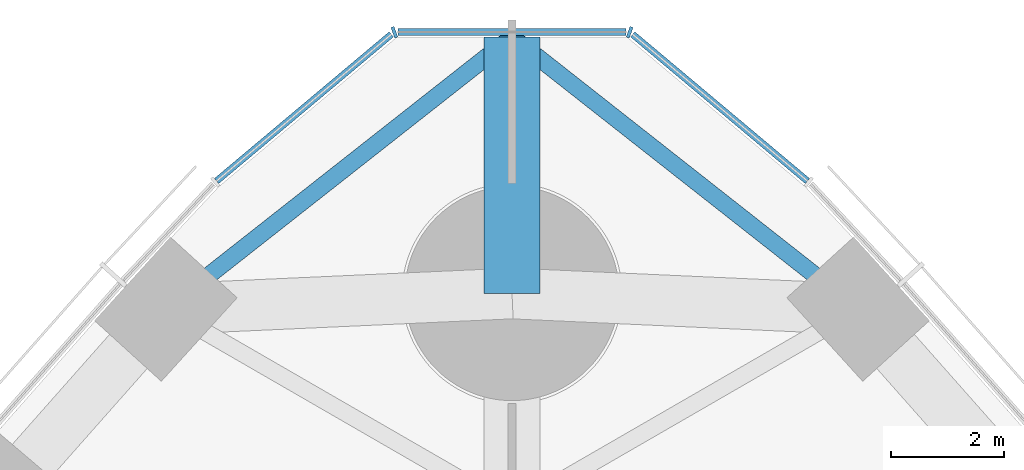
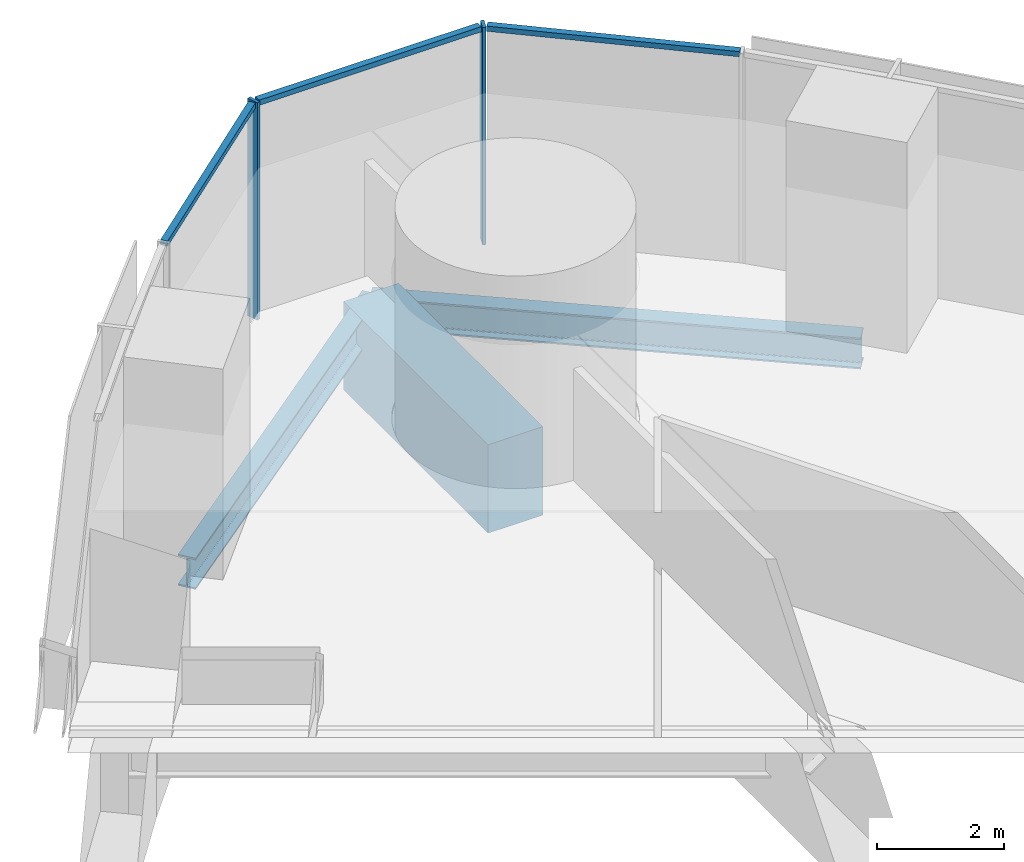
# One storey, part 8 of 18: 5 members, 3 beams, 1 element without a shape of its own.
"""IFC4 building model written with IfcOpenShell, lengths in metres."""

import ifcopenshell
import ifcopenshell.guid

model = None  # the IFC model being written
_history = None  # IfcOwnerHistory: only IFC2X3 demands one
_inside = {}  # id of a spatial element -> (the spatial element, [elements in it])
_under = {}  # id of a project, library or spatial element -> (it, [spatial elements below it])
_declared = {}  # id of a project -> (the project, [libraries it declares])
_typed = {}  # id of a type object -> (the type object, [elements of that type])
_made_of = {}  # id of a material, layer set ... -> (it, [elements and type objects made of it])


def new_model(schema):
    """Start an empty IFC model of exactly this schema.

    Asked for "IFC4X3", IfcOpenShell would pick the latest addendum, in which some entities
    have other attributes; the version numbers below select the first issue.
    IFC2X3 requires an IfcOwnerHistory on every rooted entity: one is made here for all.
    """
    global model, _history
    if schema == "IFC4X3":
        model = ifcopenshell.file(schema_version=(4, 3, 0, 0))
    else:
        model = ifcopenshell.file(schema=schema)
    _inside.clear()
    _under.clear()
    _declared.clear()
    _typed.clear()
    _made_of.clear()
    _history = None
    if model.schema == "IFC2X3":
        org = make("IfcOrganization", Name="unknown")
        user = make(
            "IfcPersonAndOrganization",
            ThePerson=make("IfcPerson", FamilyName="unknown"),
            TheOrganization=org,
        )
        app = make(
            "IfcApplication",
            ApplicationDeveloper=org,
            Version="unknown",
            ApplicationFullName="unknown",
            ApplicationIdentifier="unknown",
        )
        _history = make(
            "IfcOwnerHistory",
            OwningUser=user,
            OwningApplication=app,
            ChangeAction="ADDED",
            CreationDate=0,
        )
    return model


def make(cls, **values):
    """One entity of the class cls with the attributes given. An attribute that is None is left unset."""
    return model.create_entity(
        cls, **{name: value for name, value in values.items() if value is not None}
    )


def rooted(cls, **values):
    """An entity with a GlobalId (a new one), such as an element, a storey or a relation."""
    return make(cls, GlobalId=ifcopenshell.guid.new(), OwnerHistory=_history, **values)


def si_unit(unit_type, name, prefix=None):
    """IfcSIUnit, for example si_unit("LENGTHUNIT", "METRE", prefix="MILLI")."""
    return make("IfcSIUnit", UnitType=unit_type, Prefix=prefix, Name=name)


def assignment(units):
    """IfcUnitAssignment: the units of a project."""
    return None if units is None else make("IfcUnitAssignment", Units=units)


def point(xyz):
    """IfcCartesianPoint."""
    return None if xyz is None else make("IfcCartesianPoint", Coordinates=xyz)


def direction(xyz):
    """IfcDirection."""
    return None if xyz is None else make("IfcDirection", DirectionRatios=xyz)


def frame(location, z_axis=None, x_axis=None):
    """IfcAxis2Placement3D, a coordinate frame: its origin and axes. An axis left out is left unset."""
    return make(
        "IfcAxis2Placement3D",
        Location=point(location),
        Axis=direction(z_axis),
        RefDirection=direction(x_axis),
    )


def frame_2d(location, x_axis=None):
    """IfcAxis2Placement2D, a coordinate frame in the plane: its origin and x axis."""
    return make(
        "IfcAxis2Placement2D", Location=point(location), RefDirection=direction(x_axis)
    )


def origin():
    """The frame at (0, 0, 0) with its axes left unset."""
    return frame((0.0, 0.0, 0.0))


def origin_2d():
    """The frame at (0, 0) in the plane with its x axis left unset."""
    return frame_2d((0.0, 0.0))


def place(relative_to, where):
    """IfcLocalPlacement: puts the frame where relative to a parent placement (None: the world)."""
    return make(
        "IfcLocalPlacement", PlacementRelTo=relative_to, RelativePlacement=where
    )


def context(
    kind, dimensions, precision=None, world=None, true_north=None, identifier=None
):
    """IfcGeometricRepresentationContext, for example the 3D "Model" context."""
    return make(
        "IfcGeometricRepresentationContext",
        ContextIdentifier=identifier,
        ContextType=kind,
        CoordinateSpaceDimension=dimensions,
        Precision=precision,
        WorldCoordinateSystem=world,
        TrueNorth=true_north,
    )


def subcontext(parent, identifier, kind, view, scale=None):
    """IfcGeometricRepresentationSubContext, for example "Body" below "Model"."""
    return make(
        "IfcGeometricRepresentationSubContext",
        ContextIdentifier=identifier,
        ContextType=kind,
        ParentContext=parent,
        TargetScale=scale,
        TargetView=view,
    )


def project(units=None, contexts=None):
    """IfcProject with its units and contexts."""
    return rooted(
        "IfcProject",
        Name="project",
        RepresentationContexts=contexts,
        UnitsInContext=assignment(units),
    )


def spatial(cls, under=None, at=None, **own):
    """A site, building, storey or space (cls), placed at a placement, below another one or the project."""
    s = rooted(cls, ObjectPlacement=at, **own)
    if under is not None:
        _under.setdefault(under.id(), (under, []))[1].append(s)
    return s


def profile(cls, at=None, kind="AREA", **sizes):
    """A parametric profile (cls). Its sizes go by their IFC names, for example OverallWidth=200.0."""
    return make(cls, ProfileType=kind, Position=at, **sizes)


def rectangle(**sizes):
    """IfcRectangleProfileDef."""
    return profile("IfcRectangleProfileDef", **sizes)


def i_section(**sizes):
    """IfcIShapeProfileDef."""
    return profile("IfcIShapeProfileDef", **sizes)


def extrude(swept, where, along, depth):
    """IfcExtrudedAreaSolid: the profile swept, set in the frame where, extruded along a direction by depth."""
    return make(
        "IfcExtrudedAreaSolid",
        SweptArea=swept,
        Position=where,
        ExtrudedDirection=direction(along),
        Depth=depth,
    )


def shape(context_of_items, identifier, shape_type, items):
    """IfcShapeRepresentation: the items that make up one representation, for example the "Body"."""
    return make(
        "IfcShapeRepresentation",
        ContextOfItems=context_of_items,
        RepresentationIdentifier=identifier,
        RepresentationType=shape_type,
        Items=items,
    )


def material(Name=None, Category=None):
    """IfcMaterial."""
    return make("IfcMaterial", Name=Name, Category=Category)


def material_profile(
    of_material, cross_section, Name=None, Category=None, Priority=None
):
    """IfcMaterialProfile: a cross section and its material."""
    return make(
        "IfcMaterialProfile",
        Name=Name,
        Material=of_material,
        Profile=cross_section,
        Priority=Priority,
        Category=Category,
    )


def profile_set(profiles, Name=None, composite=None):
    """IfcMaterialProfileSet."""
    return make(
        "IfcMaterialProfileSet",
        Name=Name,
        MaterialProfiles=profiles,
        CompositeProfile=composite,
    )


def made_of(thing, what):
    """Note that an element or type object is made of a material, layer set ...; save() writes the relation."""
    if what is not None:
        _made_of.setdefault(what.id(), (what, []))[1].append(thing)
    return thing


def type_object(cls, material=None, **own):
    """A type object (cls), such as IfcWallType, which elements share."""
    return made_of(rooted(cls, **own), material)


def element(
    cls,
    number,
    at=None,
    inside=None,
    cuts=None,
    type_object=None,
    material=None,
    context=None,
    identifier="Body",
    shape_type=None,
    held_by="IfcProductDefinitionShape",
    body=None,
    shapes=None,
    **own,
):
    """One element of the class cls, such as IfcWall. Its Tag is "e" and its number.

    at: its placement. inside: the storey or other place that contains it. cuts: it is an
    opening in that element (IfcRelVoidsElement). A single representation is given by context,
    identifier, shape_type and body (its items); several are given by shapes. held_by: the class
    of the entity that holds the representations. save() writes the other relations.
    """
    e = rooted(cls, Tag="e%d" % number, ObjectPlacement=at, **own)
    if body is not None:
        shapes = [shape(context, identifier, shape_type, body)]
    if shapes is not None:
        e.Representation = make(held_by, Representations=shapes)
    if inside is not None:
        _inside.setdefault(inside.id(), (inside, []))[1].append(e)
    if cuts is not None:
        rooted(
            "IfcRelVoidsElement", RelatingBuildingElement=cuts, RelatedOpeningElement=e
        )
    if type_object is not None:
        _typed.setdefault(type_object.id(), (type_object, []))[1].append(e)
    return made_of(e, material)


def aggregate(whole, parts):
    """IfcRelAggregates: a whole, such as a stair, and the parts it consists of."""
    return rooted("IfcRelAggregates", RelatingObject=whole, RelatedObjects=parts)


def save(model, path):
    """Write the relations noted so far, then the file.

    IfcRelAggregates (storeys below a building ...), IfcRelContainedInSpatialStructure (elements
    in a storey), IfcRelDefinesByType, IfcRelAssociatesMaterial and IfcRelDeclares: one each for
    every whole, place, type object, material and project.
    """
    for whole, parts in _under.values():
        aggregate(whole, parts)
    for where, things in _inside.values():
        rooted(
            "IfcRelContainedInSpatialStructure",
            RelatedElements=things,
            RelatingStructure=where,
        )
    for kind, things in _typed.values():
        rooted("IfcRelDefinesByType", RelatedObjects=things, RelatingType=kind)
    for what, things in _made_of.values():
        rooted("IfcRelAssociatesMaterial", RelatedObjects=things, RelatingMaterial=what)
    for by, libraries in _declared.values():
        rooted("IfcRelDeclares", RelatingContext=by, RelatedDefinitions=libraries)
    model.write(path)


model = new_model("IFC4")

# Units and contexts
model_context = context("Model", 3, precision=1e-05, world=origin(), true_north=direction((0.0, 1.0)))
body_context = subcontext(model_context, "Body", "Model", "MODEL_VIEW")
ifc_project = project(units=[si_unit("LENGTHUNIT", "METRE"), si_unit("AREAUNIT", "SQUARE_METRE"), si_unit("VOLUMEUNIT", "CUBIC_METRE"), si_unit("PLANEANGLEUNIT", "RADIAN"), si_unit("MASSUNIT", "GRAM", prefix="KILO")], contexts=[model_context])

# Site, building, storey
site_placement = place(None, origin())
site = spatial("IfcSite", under=ifc_project, at=site_placement, CompositionType="ELEMENT")
building_placement = place(site_placement, origin())
building = spatial("IfcBuilding", under=site, at=building_placement, Name="Trefoil Bronze Tower", CompositionType="ELEMENT")
storey_placement = place(building_placement, frame((0.0, 0.0, 161.89990234375)))
storey = spatial("IfcBuildingStorey", under=building, at=storey_placement, Name="L37", CompositionType="ELEMENT", Elevation=161.89990234375)

# Curtain wall, members
ifc_material_1 = material(Name="Tinted solar-control glass", Category="glass")
curtain_wall_type = type_object("IfcCurtainWallType", Name="Bronze rounded corner curtain wall", PredefinedType="USERDEFINED", material=ifc_material_1)
curtain_wall_placement = place(storey_placement, origin())
curtain_wall = element("IfcCurtainWall", 1, at=curtain_wall_placement, inside=storey, type_object=curtain_wall_type, Name="CW-B L37 K2", ObjectType="CURTAIN WALL", PredefinedType="USERDEFINED")
ifc_material_2 = material(Name="Bronze-finish aluminium", Category="aluminium")
ifc_material_profile_1 = material_profile(ifc_material_2, rectangle(XDim=0.199951171875, YDim=0.06005859375, at=origin_2d()), Name="CW-B mullion")
ifc_profile_set_1 = profile_set([ifc_material_profile_1], Name="Bronze-finish aluminium")
member_type_1 = type_object("IfcMemberType", Name="Bronze rounded corner curtain wall mullion", PredefinedType="MULLION", material=ifc_profile_set_1)
member_1_placement = place(storey_placement, frame((2.08642578125, 39.631591796875, 0.0), z_axis=(0.0, 0.0, 1.0), x_axis=(-0.342020143326, -0.939692620786, 0.0)))
member_1 = element("IfcMember", 2, at=member_1_placement, type_object=member_type_1, Name="CW-B L37 K2 mullion 2", PredefinedType="MULLION", context=body_context, shape_type="SweptSolid", body=[
    extrude(rectangle(XDim=0.199951171875, YDim=0.06005859375, at=origin_2d()), origin(), (0.0, 0.0, 1.0), 4.18017578125),
])
member_2_placement = place(storey_placement, frame((-2.08642578125, 39.631591796875, 0.0), z_axis=(0.0, 0.0, 1.0), x_axis=(0.342020143326, -0.939692620786, 0.0)))
member_2 = element("IfcMember", 3, at=member_2_placement, type_object=member_type_1, Name="CW-B L37 K2 mullion 3", PredefinedType="MULLION", context=body_context, shape_type="SweptSolid", body=[
    extrude(rectangle(XDim=0.199951171875, YDim=0.06005859375, at=origin_2d()), origin(), (0.0, 0.0, 1.0), 4.18017578125),
])
ifc_material_3 = material(Name="Bronze-finish aluminium", Category="aluminium")
ifc_material_profile_2 = material_profile(ifc_material_3, rectangle(XDim=0.1201171875, YDim=0.10009765625, at=origin_2d()), Name="CW-B transom")
ifc_profile_set_2 = profile_set([ifc_material_profile_2], Name="Bronze-finish aluminium")
member_type_2 = type_object("IfcMemberType", Name="Bronze rounded corner curtain wall transom", PredefinedType="USERDEFINED", material=ifc_profile_set_2)
member_3_placement = place(storey_placement, frame((5.237548828125, 36.9951171875, 4.130126953125), z_axis=(-0.766049624684, 0.642781434487, 0.0), x_axis=(-0.642781434487, -0.766049624684, 0.0)))
member_3 = element("IfcMember", 4, at=member_3_placement, type_object=member_type_2, Name="CW-B L37 K2 transom 1", ObjectType="TRANSOM", PredefinedType="USERDEFINED", context=body_context, shape_type="SweptSolid", body=[
    extrude(rectangle(XDim=0.1201171875, YDim=0.10009765625, at=origin_2d()), origin(), (0.0, 0.0, 1.0), 4.04443359375),
])
member_4_placement = place(storey_placement, frame((2.022216796875, 39.637451171875, 4.130126953125), z_axis=(-1.0, 0.0, 0.0), x_axis=(0.0, -1.0, 0.0)))
member_4 = element("IfcMember", 5, at=member_4_placement, type_object=member_type_2, Name="CW-B L37 K2 transom 2", ObjectType="TRANSOM", PredefinedType="USERDEFINED", context=body_context, shape_type="SweptSolid", body=[
    extrude(rectangle(XDim=0.1201171875, YDim=0.10009765625, at=origin_2d()), origin(), (0.0, 0.0, 1.0), 4.04443359375),
])
member_5_placement = place(storey_placement, frame((-2.139404296875, 39.5947265625, 4.130126953125), z_axis=(-0.766049624684, -0.642781434487, 0.0), x_axis=(0.642781434487, -0.766049624684, 0.0)))
member_5 = element("IfcMember", 6, at=member_5_placement, type_object=member_type_2, Name="CW-B L37 K2 transom 3", ObjectType="TRANSOM", PredefinedType="USERDEFINED", context=body_context, shape_type="SweptSolid", body=[
    extrude(rectangle(XDim=0.1201171875, YDim=0.10009765625, at=origin_2d()), origin(), (0.0, 0.0, 1.0), 4.04443359375),
])
aggregate(curtain_wall, [member_1, member_2, member_3, member_4, member_5])

# Beams
ifc_material_4 = material(Name="Concrete B80", Category="concrete")
ifc_material_profile_3 = material_profile(ifc_material_4, rectangle(XDim=1.0, YDim=1.699951171875, at=origin_2d()), Name="RC 1000x1700")
ifc_profile_set_3 = profile_set([ifc_material_profile_3], Name="Concrete B80")
beam_type_1 = type_object("IfcBeamType", Name="Corner cantilever RC 1000x1700", PredefinedType="BEAM", material=ifc_profile_set_3)
beam_placement = place(storey_placement, frame((0.0, 35.0, -1.0498046875), z_axis=(0.0, 1.0, 0.0), x_axis=(-1.0, 0.0, 0.0)))
element("IfcBeam", 7, at=beam_placement, inside=storey, type_object=beam_type_1, Name="Corner cantilever K2 L37", PredefinedType="BEAM", context=body_context, shape_type="SweptSolid", body=[
    extrude(rectangle(XDim=1.0, YDim=1.699951171875, at=origin_2d()), origin(), (0.0, 0.0, 1.0), 4.54931640625),
])
ifc_material_5 = material(Name="Steel C355", Category="steel")
ifc_material_profile_4 = material_profile(ifc_material_5, i_section(OverallWidth=0.300048828125, OverallDepth=0.60009765625, WebThickness=0.015380859375, FlangeThickness=0.030029296875, FilletRadius=0.027099609375, at=origin_2d()), Name="HEB 600")
ifc_profile_set_4 = profile_set([ifc_material_profile_4], Name="Steel C355")
beam_type_2 = type_object("IfcBeamType", Name="Corner edge beam HEB 600", PredefinedType="BEAM", material=ifc_profile_set_4)
for number, where, z_axis, x_axis, name in (
    (8, (6.13916015625, 34.72119140625, -0.5), (-0.786038406433, 0.61817766347, 0.0), (-0.61817766347, -0.786038406433, 0.0), "Corner edge beam F2A L37"),
    (9, (-6.13916015625, 34.72119140625, -0.5), (0.786038406433, 0.61817766347, 0.0), (-0.61817766347, 0.786038406433, 0.0), "Corner edge beam F3B L37"),
):
    element("IfcBeam", number, at=place(storey_placement, frame(where, z_axis=z_axis, x_axis=x_axis)), inside=storey, type_object=beam_type_2, Name=name, PredefinedType="BEAM", context=body_context, shape_type="SweptSolid", body=[
        extrude(i_section(OverallWidth=0.300048828125, OverallDepth=0.60009765625, WebThickness=0.015380859375, FlangeThickness=0.030029296875, FilletRadius=0.027099609375, at=origin_2d()), origin(), (0.0, 0.0, 1.0), 7.810302734375),
    ])

save(model, "model.ifc")
